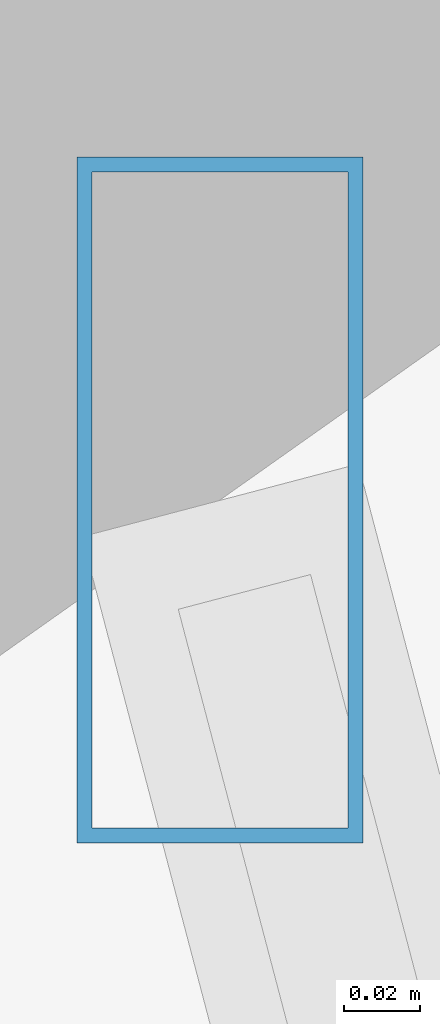
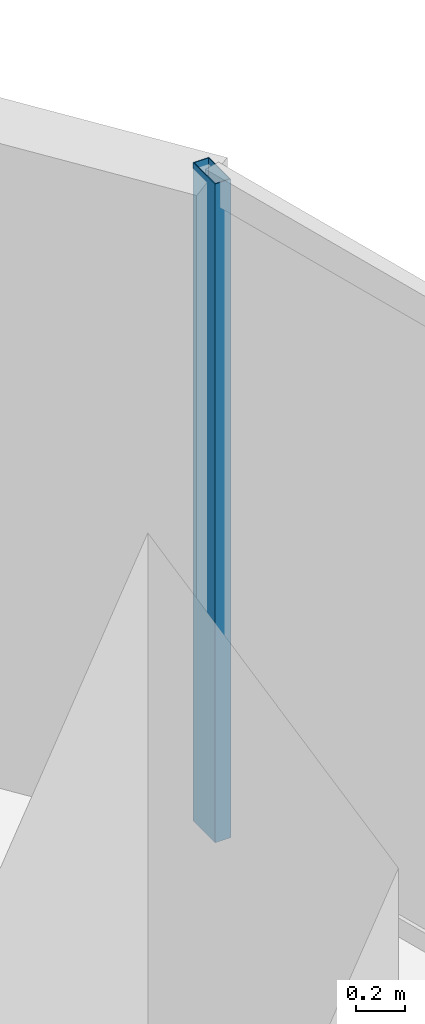
# One storey, part 18 of 36: 1 member, 1 element without a shape of its own.
"""IFC4 building model written with IfcOpenShell, lengths in metres."""

from ifc_helpers import new_model, si_unit, direction, frame, origin, origin_2d, place, context, subcontext, project, spatial, hollow_rectangle, extrude, material, material_profile, profile_set, type_object, element, aggregate, save


model = new_model("IFC4")

# Units and contexts
model_context = context("Model", 3, precision=1e-05, world=origin(), true_north=direction((0.0, 1.0)))
body_context = subcontext(model_context, "Body", "Model", "MODEL_VIEW")
ifc_project = project(units=[si_unit("LENGTHUNIT", "METRE"), si_unit("AREAUNIT", "SQUARE_METRE"), si_unit("VOLUMEUNIT", "CUBIC_METRE"), si_unit("PLANEANGLEUNIT", "RADIAN"), si_unit("MASSUNIT", "GRAM", prefix="KILO")], contexts=[model_context])

# Site, building, storey
site_placement = place(None, origin())
site = spatial("IfcSite", under=ifc_project, at=site_placement, CompositionType="ELEMENT")
building_placement = place(site_placement, origin())
building = spatial("IfcBuilding", under=site, at=building_placement, Name="Vorneva Point Tower", CompositionType="ELEMENT")
storey_placement = place(building_placement, frame((0.0, 0.0, 24.0)))
storey = spatial("IfcBuildingStorey", under=building, at=storey_placement, Name="L05", CompositionType="ELEMENT", Elevation=24.0)

# Curtain wall, member
ifc_material = material(Name="Pale anodised aluminium", Category="aluminium")
curtain_wall_type = type_object("IfcCurtainWallType", Name="CW-HTL-SYS", PredefinedType="NOTDEFINED", material=ifc_material)
curtain_wall_placement = place(storey_placement, origin())
curtain_wall = element("IfcCurtainWall", 1, at=curtain_wall_placement, inside=storey, type_object=curtain_wall_type, Name="L05 Unitised Curtain Wall CW-L05-R01", PredefinedType="NOTDEFINED")
ifc_material_profile = material_profile(ifc_material, hollow_rectangle(XDim=0.074951171875, YDim=0.179931640625, WallThickness=0.00390625, at=origin_2d()), Name="AL-MUL 180x75x4")
ifc_profile_set = profile_set([ifc_material_profile], Name="Pale anodised aluminium")
member_type = type_object("IfcMemberType", Name="CW-MUL-180", PredefinedType="MULLION", material=ifc_profile_set)
member_placement = place(storey_placement, frame((65.300537109375, 34.552978515625, -0.0400390625), z_axis=(0.0, 0.0, 1.0), x_axis=(1.0, 0.0, 0.0)))
member = element("IfcMember", 2, at=member_placement, type_object=member_type, Name="CW-L05-R01 Mullion 04", PredefinedType="MULLION", context=body_context, shape_type="SweptSolid", body=[
    extrude(hollow_rectangle(XDim=0.074951171875, YDim=0.179931640625, WallThickness=0.00390625, at=origin_2d()), origin(), (0.0, 0.0, 1.0), 3.31005859375),
])
aggregate(curtain_wall, [member])

save(model, "model.ifc")
